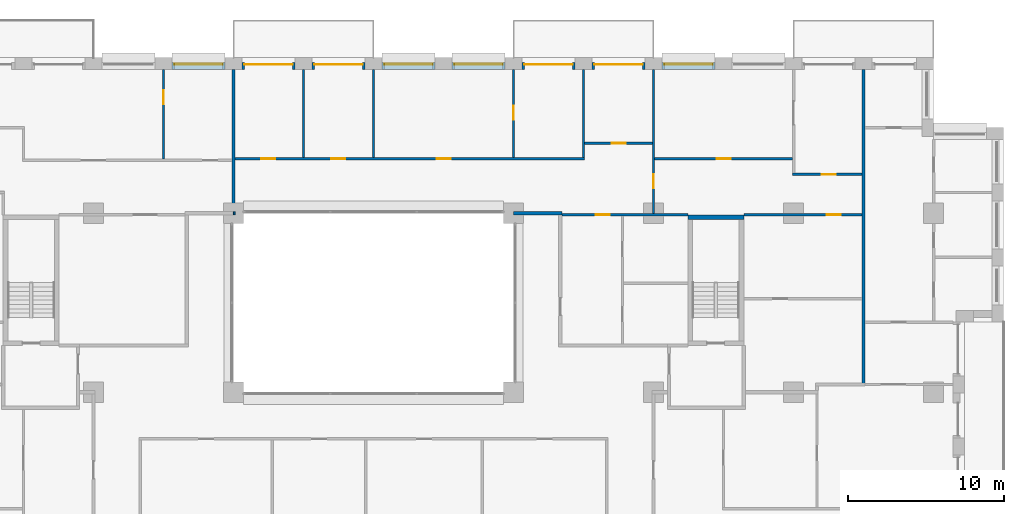
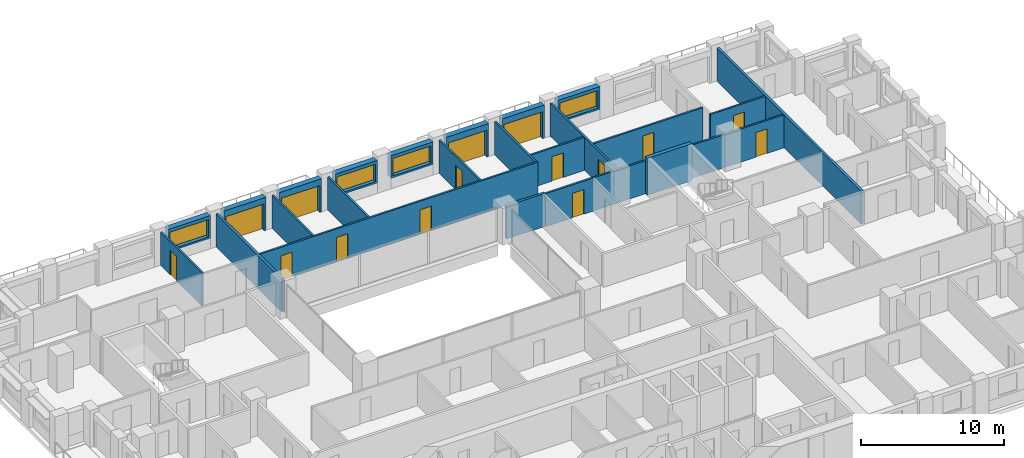
# One storey, part 13 of 16: 25 walls, 15 doors, 4 windows, 19 openings.
"""IFC4 building model written with IfcOpenShell, lengths in metres."""

import ifcopenshell
import ifcopenshell.guid

model = None  # the IFC model being written
_history = None  # IfcOwnerHistory: only IFC2X3 demands one
_inside = {}  # id of a spatial element -> (the spatial element, [elements in it])
_under = {}  # id of a project, library or spatial element -> (it, [spatial elements below it])
_declared = {}  # id of a project -> (the project, [libraries it declares])
_typed = {}  # id of a type object -> (the type object, [elements of that type])
_made_of = {}  # id of a material, layer set ... -> (it, [elements and type objects made of it])


def new_model(schema):
    """Start an empty IFC model of exactly this schema.

    Asked for "IFC4X3", IfcOpenShell would pick the latest addendum, in which some entities
    have other attributes; the version numbers below select the first issue.
    IFC2X3 requires an IfcOwnerHistory on every rooted entity: one is made here for all.
    """
    global model, _history
    if schema == "IFC4X3":
        model = ifcopenshell.file(schema_version=(4, 3, 0, 0))
    else:
        model = ifcopenshell.file(schema=schema)
    _inside.clear()
    _under.clear()
    _declared.clear()
    _typed.clear()
    _made_of.clear()
    _history = None
    if model.schema == "IFC2X3":
        org = make("IfcOrganization", Name="unknown")
        user = make(
            "IfcPersonAndOrganization",
            ThePerson=make("IfcPerson", FamilyName="unknown"),
            TheOrganization=org,
        )
        app = make(
            "IfcApplication",
            ApplicationDeveloper=org,
            Version="unknown",
            ApplicationFullName="unknown",
            ApplicationIdentifier="unknown",
        )
        _history = make(
            "IfcOwnerHistory",
            OwningUser=user,
            OwningApplication=app,
            ChangeAction="ADDED",
            CreationDate=0,
        )
    return model


def make(cls, **values):
    """One entity of the class cls with the attributes given. An attribute that is None is left unset."""
    return model.create_entity(
        cls, **{name: value for name, value in values.items() if value is not None}
    )


def rooted(cls, **values):
    """An entity with a GlobalId (a new one), such as an element, a storey or a relation."""
    return make(cls, GlobalId=ifcopenshell.guid.new(), OwnerHistory=_history, **values)


def si_unit(unit_type, name, prefix=None):
    """IfcSIUnit, for example si_unit("LENGTHUNIT", "METRE", prefix="MILLI")."""
    return make("IfcSIUnit", UnitType=unit_type, Prefix=prefix, Name=name)


def assignment(units):
    """IfcUnitAssignment: the units of a project."""
    return None if units is None else make("IfcUnitAssignment", Units=units)


def point(xyz):
    """IfcCartesianPoint."""
    return None if xyz is None else make("IfcCartesianPoint", Coordinates=xyz)


def direction(xyz):
    """IfcDirection."""
    return None if xyz is None else make("IfcDirection", DirectionRatios=xyz)


def frame(location, z_axis=None, x_axis=None):
    """IfcAxis2Placement3D, a coordinate frame: its origin and axes. An axis left out is left unset."""
    return make(
        "IfcAxis2Placement3D",
        Location=point(location),
        Axis=direction(z_axis),
        RefDirection=direction(x_axis),
    )


def frame_2d(location, x_axis=None):
    """IfcAxis2Placement2D, a coordinate frame in the plane: its origin and x axis."""
    return make(
        "IfcAxis2Placement2D", Location=point(location), RefDirection=direction(x_axis)
    )


def origin():
    """The frame at (0, 0, 0) with its axes left unset."""
    return frame((0.0, 0.0, 0.0))


def place(relative_to, where):
    """IfcLocalPlacement: puts the frame where relative to a parent placement (None: the world)."""
    return make(
        "IfcLocalPlacement", PlacementRelTo=relative_to, RelativePlacement=where
    )


def context(
    kind, dimensions, precision=None, world=None, true_north=None, identifier=None
):
    """IfcGeometricRepresentationContext, for example the 3D "Model" context."""
    return make(
        "IfcGeometricRepresentationContext",
        ContextIdentifier=identifier,
        ContextType=kind,
        CoordinateSpaceDimension=dimensions,
        Precision=precision,
        WorldCoordinateSystem=world,
        TrueNorth=true_north,
    )


def subcontext(parent, identifier, kind, view, scale=None):
    """IfcGeometricRepresentationSubContext, for example "Body" below "Model"."""
    return make(
        "IfcGeometricRepresentationSubContext",
        ContextIdentifier=identifier,
        ContextType=kind,
        ParentContext=parent,
        TargetScale=scale,
        TargetView=view,
    )


def project(units=None, contexts=None):
    """IfcProject with its units and contexts."""
    return rooted(
        "IfcProject",
        Name="project",
        RepresentationContexts=contexts,
        UnitsInContext=assignment(units),
    )


def spatial(cls, under=None, at=None, **own):
    """A site, building, storey or space (cls), placed at a placement, below another one or the project."""
    s = rooted(cls, ObjectPlacement=at, **own)
    if under is not None:
        _under.setdefault(under.id(), (under, []))[1].append(s)
    return s


def profile(cls, at=None, kind="AREA", **sizes):
    """A parametric profile (cls). Its sizes go by their IFC names, for example OverallWidth=200.0."""
    return make(cls, ProfileType=kind, Position=at, **sizes)


def rectangle(**sizes):
    """IfcRectangleProfileDef."""
    return profile("IfcRectangleProfileDef", **sizes)


def extrude(swept, where, along, depth):
    """IfcExtrudedAreaSolid: the profile swept, set in the frame where, extruded along a direction by depth."""
    return make(
        "IfcExtrudedAreaSolid",
        SweptArea=swept,
        Position=where,
        ExtrudedDirection=direction(along),
        Depth=depth,
    )


def shape(context_of_items, identifier, shape_type, items):
    """IfcShapeRepresentation: the items that make up one representation, for example the "Body"."""
    return make(
        "IfcShapeRepresentation",
        ContextOfItems=context_of_items,
        RepresentationIdentifier=identifier,
        RepresentationType=shape_type,
        Items=items,
    )


def material(Name=None, Category=None):
    """IfcMaterial."""
    return make("IfcMaterial", Name=Name, Category=Category)


def layer(
    of_material, thickness, ventilated=None, Name=None, Category=None, Priority=None
):
    """IfcMaterialLayer: one layer of a wall or slab, of a material (None: an air gap)."""
    return make(
        "IfcMaterialLayer",
        Material=of_material,
        LayerThickness=thickness,
        IsVentilated=ventilated,
        Name=Name,
        Category=Category,
        Priority=Priority,
    )


def layer_set(layers, Name=None):
    """IfcMaterialLayerSet."""
    return make("IfcMaterialLayerSet", MaterialLayers=layers, LayerSetName=Name)


def made_of(thing, what):
    """Note that an element or type object is made of a material, layer set ...; save() writes the relation."""
    if what is not None:
        _made_of.setdefault(what.id(), (what, []))[1].append(thing)
    return thing


def type_object(cls, material=None, **own):
    """A type object (cls), such as IfcWallType, which elements share."""
    return made_of(rooted(cls, **own), material)


def element(
    cls,
    number,
    at=None,
    inside=None,
    cuts=None,
    type_object=None,
    material=None,
    context=None,
    identifier="Body",
    shape_type=None,
    held_by="IfcProductDefinitionShape",
    body=None,
    shapes=None,
    **own,
):
    """One element of the class cls, such as IfcWall. Its Tag is "e" and its number.

    at: its placement. inside: the storey or other place that contains it. cuts: it is an
    opening in that element (IfcRelVoidsElement). A single representation is given by context,
    identifier, shape_type and body (its items); several are given by shapes. held_by: the class
    of the entity that holds the representations. save() writes the other relations.
    """
    e = rooted(cls, Tag="e%d" % number, ObjectPlacement=at, **own)
    if body is not None:
        shapes = [shape(context, identifier, shape_type, body)]
    if shapes is not None:
        e.Representation = make(held_by, Representations=shapes)
    if inside is not None:
        _inside.setdefault(inside.id(), (inside, []))[1].append(e)
    if cuts is not None:
        rooted(
            "IfcRelVoidsElement", RelatingBuildingElement=cuts, RelatedOpeningElement=e
        )
    if type_object is not None:
        _typed.setdefault(type_object.id(), (type_object, []))[1].append(e)
    return made_of(e, material)


def fill(opening, filler):
    """IfcRelFillsElement: the door or window that sits in an opening."""
    return rooted(
        "IfcRelFillsElement",
        RelatingOpeningElement=opening,
        RelatedBuildingElement=filler,
    )


def aggregate(whole, parts):
    """IfcRelAggregates: a whole, such as a stair, and the parts it consists of."""
    return rooted("IfcRelAggregates", RelatingObject=whole, RelatedObjects=parts)


def save(model, path):
    """Write the relations noted so far, then the file.

    IfcRelAggregates (storeys below a building ...), IfcRelContainedInSpatialStructure (elements
    in a storey), IfcRelDefinesByType, IfcRelAssociatesMaterial and IfcRelDeclares: one each for
    every whole, place, type object, material and project.
    """
    for whole, parts in _under.values():
        aggregate(whole, parts)
    for where, things in _inside.values():
        rooted(
            "IfcRelContainedInSpatialStructure",
            RelatedElements=things,
            RelatingStructure=where,
        )
    for kind, things in _typed.values():
        rooted("IfcRelDefinesByType", RelatedObjects=things, RelatingType=kind)
    for what, things in _made_of.values():
        rooted("IfcRelAssociatesMaterial", RelatedObjects=things, RelatingMaterial=what)
    for by, libraries in _declared.values():
        rooted("IfcRelDeclares", RelatingContext=by, RelatedDefinitions=libraries)
    model.write(path)


model = new_model("IFC4")

# Units and contexts
model_context = context("Model", 3, precision=1e-05, world=origin(), true_north=direction((0.0, 1.0)))
body_context = subcontext(model_context, "Body", "Model", "MODEL_VIEW")
ifc_project = project(units=[si_unit("LENGTHUNIT", "METRE"), si_unit("AREAUNIT", "SQUARE_METRE"), si_unit("VOLUMEUNIT", "CUBIC_METRE"), si_unit("PLANEANGLEUNIT", "RADIAN"), si_unit("MASSUNIT", "GRAM", prefix="KILO")], contexts=[model_context])

# Site, building, storey
site_placement = place(None, origin())
site = spatial("IfcSite", under=ifc_project, at=site_placement, CompositionType="ELEMENT")
building_placement = place(site_placement, origin())
building = spatial("IfcBuilding", under=site, at=building_placement, Name="Brigalow Station Residences", CompositionType="ELEMENT")
storey_placement = place(building_placement, frame((0.0, 0.0, 115.050048828125)))
storey = spatial("IfcBuildingStorey", under=building, at=storey_placement, Name="L33", CompositionType="ELEMENT", Elevation=115.050048828125)

# Wall, opening, window
ifc_material_1 = material(Name="Clay brick masonry", Category="masonry")
ifc_layer_1 = layer(ifc_material_1, 0.449951171875)
ifc_layer_set_1 = layer_set([ifc_layer_1], Name="BRICK INFILL WALL 450")
wall_type_1 = type_object("IfcWallType", Name="BRICK INFILL WALL 450", PredefinedType="SOLIDWALL", material=ifc_layer_set_1)
wall_1_placement = place(storey_placement, frame((57.949951171875, 44.97509765625, 0.89990234375), z_axis=(0.0, 0.0, 1.0), x_axis=(-1.0, 0.0, 0.0)))
wall_1 = element("IfcWall", 1, at=wall_1_placement, inside=storey, type_object=wall_type_1, Name="L33/ewall/W-L33-26", PredefinedType="SOLIDWALL", context=body_context, shape_type="SweptSolid", body=[
    extrude(rectangle(XDim=3.39990234375, YDim=0.449951171875, at=frame_2d((1.699951171875, 0.0))), origin(), (0.0, 0.0, 1.0), 1.929931640625),
])
opening_1_placement = place(wall_1_placement, frame((0.14990234375, 0.0, 0.14990234375)))
opening_1 = element("IfcOpeningElement", 2, at=opening_1_placement, cuts=wall_1, Name="Opening WT-8", PredefinedType="OPENING", context=body_context, shape_type="SweptSolid", body=[
    extrude(rectangle(XDim=3.10009765625, YDim=1.5, at=frame_2d((1.550048828125, 0.75))), frame((0.0, 0.23486328125, 0.0), z_axis=(0.0, -1.0, 0.0), x_axis=(1.0, 0.0, 0.0)), (0.0, 0.0, 1.0), 0.469970703125),
])
ifc_material_2 = material(Name="Anodised aluminium frame with double glazing", Category="aluminium")
window_type = type_object("IfcWindowType", Name="WINDOW 3100x1500", PartitioningType="SINGLE_PANEL", PredefinedType="WINDOW", material=ifc_material_2)
window_1_placement = place(opening_1_placement, origin())
window_1 = element("IfcWindow", 3, at=window_1_placement, inside=storey, type_object=window_type, Name="L33/window/W-L33-26", OverallHeight=1.5, OverallWidth=3.10009765625, PartitioningType="SINGLE_PANEL", PredefinedType="WINDOW", context=body_context, shape_type="SweptSolid", body=[
    extrude(rectangle(XDim=3.10009765625, YDim=1.5, at=frame_2d((1.550048828125, 0.75))), frame((0.0, -0.06494140625, 0.0), z_axis=(0.0, -1.0, 0.0), x_axis=(1.0, 0.0, 0.0)), (0.0, 0.0, 1.0), 0.06005859375),
])
fill(opening_1, window_1)

# Wall, opening, door
wall_2_placement = place(storey_placement, frame((53.449951171875, 44.97509765625, 0.0), z_axis=(0.0, 0.0, 1.0), x_axis=(-1.0, 0.0, 0.0)))
wall_2 = element("IfcWall", 4, at=wall_2_placement, inside=storey, type_object=wall_type_1, Name="L33/ewall/W-L33-27", PredefinedType="SOLIDWALL", context=body_context, shape_type="SweptSolid", body=[
    extrude(rectangle(XDim=3.39990234375, YDim=0.449951171875, at=frame_2d((1.699951171875, 0.0))), origin(), (0.0, 0.0, 1.0), 2.829833984375),
])
opening_2_placement = place(wall_2_placement, frame((0.14990234375, 0.0, 0.0)))
opening_2 = element("IfcOpeningElement", 5, at=opening_2_placement, cuts=wall_2, Name="Opening D-B3100", PredefinedType="OPENING", context=body_context, shape_type="SweptSolid", body=[
    extrude(rectangle(XDim=3.10009765625, YDim=2.300048828125, at=frame_2d((1.550048828125, 1.14990234375))), frame((0.0, 0.23486328125, 0.0), z_axis=(0.0, -1.0, 0.0), x_axis=(1.0, 0.0, 0.0)), (0.0, 0.0, 1.0), 0.469970703125),
])
ifc_material_3 = material(Name="Anodised aluminium frame with double glazing", Category="aluminium")
door_type_1 = type_object("IfcDoorType", Name="BALCONY SLIDING DOOR 3100x2300", OperationType="SLIDING_TO_LEFT", PredefinedType="DOOR", material=ifc_material_3)
door_1_placement = place(opening_2_placement, origin())
door_1 = element("IfcDoor", 6, at=door_1_placement, inside=storey, type_object=door_type_1, Name="L33/balcony-door/W-L33-27", OperationType="SLIDING_TO_LEFT", OverallHeight=2.300048828125, OverallWidth=3.10009765625, PredefinedType="DOOR", context=body_context, shape_type="SweptSolid", body=[
    extrude(rectangle(XDim=3.10009765625, YDim=2.300048828125, at=frame_2d((1.550048828125, 1.14990234375))), frame((0.0, -0.06982421875, 0.0), z_axis=(0.0, -1.0, 0.0), x_axis=(1.0, 0.0, 0.0)), (0.0, 0.0, 1.0), 0.050048828125),
])
fill(opening_2, door_1)

wall_3_placement = place(storey_placement, frame((48.949951171875, 44.97509765625, 0.0), z_axis=(0.0, 0.0, 1.0), x_axis=(-1.0, 0.0, 0.0)))
wall_3 = element("IfcWall", 7, at=wall_3_placement, inside=storey, type_object=wall_type_1, Name="L33/ewall/W-L33-28", PredefinedType="SOLIDWALL", context=body_context, shape_type="SweptSolid", body=[
    extrude(rectangle(XDim=3.39990234375, YDim=0.449951171875, at=frame_2d((1.699951171875, 0.0))), origin(), (0.0, 0.0, 1.0), 2.829833984375),
])
opening_3_placement = place(wall_3_placement, frame((0.14990234375, 0.0, 0.0)))
opening_3 = element("IfcOpeningElement", 8, at=opening_3_placement, cuts=wall_3, Name="Opening D-B3100", PredefinedType="OPENING", context=body_context, shape_type="SweptSolid", body=[
    extrude(rectangle(XDim=3.10009765625, YDim=2.300048828125, at=frame_2d((1.550048828125, 1.14990234375))), frame((0.0, 0.23486328125, 0.0), z_axis=(0.0, -1.0, 0.0), x_axis=(1.0, 0.0, 0.0)), (0.0, 0.0, 1.0), 0.469970703125),
])
door_2_placement = place(opening_3_placement, origin())
door_2 = element("IfcDoor", 9, at=door_2_placement, inside=storey, type_object=door_type_1, Name="L33/balcony-door/W-L33-28", OperationType="SLIDING_TO_LEFT", OverallHeight=2.300048828125, OverallWidth=3.10009765625, PredefinedType="DOOR", context=body_context, shape_type="SweptSolid", body=[
    extrude(rectangle(XDim=3.10009765625, YDim=2.300048828125, at=frame_2d((1.550048828125, 1.14990234375))), frame((0.0, -0.06982421875, 0.0), z_axis=(0.0, -1.0, 0.0), x_axis=(1.0, 0.0, 0.0)), (0.0, 0.0, 1.0), 0.050048828125),
])
fill(opening_3, door_2)

# Wall, opening, window
wall_4_placement = place(storey_placement, frame((44.449951171875, 44.97509765625, 0.89990234375), z_axis=(0.0, 0.0, 1.0), x_axis=(-1.0, 0.0, 0.0)))
wall_4 = element("IfcWall", 10, at=wall_4_placement, inside=storey, type_object=wall_type_1, Name="L33/ewall/W-L33-29", PredefinedType="SOLIDWALL", context=body_context, shape_type="SweptSolid", body=[
    extrude(rectangle(XDim=3.39990234375, YDim=0.449951171875, at=frame_2d((1.699951171875, 0.0))), origin(), (0.0, 0.0, 1.0), 1.929931640625),
])
opening_4_placement = place(wall_4_placement, frame((0.14990234375, 0.0, 0.14990234375)))
opening_4 = element("IfcOpeningElement", 11, at=opening_4_placement, cuts=wall_4, Name="Opening WT-8", PredefinedType="OPENING", context=body_context, shape_type="SweptSolid", body=[
    extrude(rectangle(XDim=3.10009765625, YDim=1.5, at=frame_2d((1.550048828125, 0.75))), frame((0.0, 0.23486328125, 0.0), z_axis=(0.0, -1.0, 0.0), x_axis=(1.0, 0.0, 0.0)), (0.0, 0.0, 1.0), 0.469970703125),
])
window_2_placement = place(opening_4_placement, origin())
window_2 = element("IfcWindow", 12, at=window_2_placement, inside=storey, type_object=window_type, Name="L33/window/W-L33-29", OverallHeight=1.5, OverallWidth=3.10009765625, PartitioningType="SINGLE_PANEL", PredefinedType="WINDOW", context=body_context, shape_type="SweptSolid", body=[
    extrude(rectangle(XDim=3.10009765625, YDim=1.5, at=frame_2d((1.550048828125, 0.75))), frame((0.0, -0.06494140625, 0.0), z_axis=(0.0, -1.0, 0.0), x_axis=(1.0, 0.0, 0.0)), (0.0, 0.0, 1.0), 0.06005859375),
])
fill(opening_4, window_2)

wall_5_placement = place(storey_placement, frame((39.949951171875, 44.97509765625, 0.89990234375), z_axis=(0.0, 0.0, 1.0), x_axis=(-1.0, 0.0, 0.0)))
wall_5 = element("IfcWall", 13, at=wall_5_placement, inside=storey, type_object=wall_type_1, Name="L33/ewall/W-L33-30", PredefinedType="SOLIDWALL", context=body_context, shape_type="SweptSolid", body=[
    extrude(rectangle(XDim=3.39990234375, YDim=0.449951171875, at=frame_2d((1.699951171875, 0.0))), origin(), (0.0, 0.0, 1.0), 1.929931640625),
])
opening_5_placement = place(wall_5_placement, frame((0.14990234375, 0.0, 0.14990234375)))
opening_5 = element("IfcOpeningElement", 14, at=opening_5_placement, cuts=wall_5, Name="Opening WT-8", PredefinedType="OPENING", context=body_context, shape_type="SweptSolid", body=[
    extrude(rectangle(XDim=3.10009765625, YDim=1.5, at=frame_2d((1.550048828125, 0.75))), frame((0.0, 0.23486328125, 0.0), z_axis=(0.0, -1.0, 0.0), x_axis=(1.0, 0.0, 0.0)), (0.0, 0.0, 1.0), 0.469970703125),
])
window_3_placement = place(opening_5_placement, origin())
window_3 = element("IfcWindow", 15, at=window_3_placement, inside=storey, type_object=window_type, Name="L33/window/W-L33-30", OverallHeight=1.5, OverallWidth=3.10009765625, PartitioningType="SINGLE_PANEL", PredefinedType="WINDOW", context=body_context, shape_type="SweptSolid", body=[
    extrude(rectangle(XDim=3.10009765625, YDim=1.5, at=frame_2d((1.550048828125, 0.75))), frame((0.0, -0.06494140625, 0.0), z_axis=(0.0, -1.0, 0.0), x_axis=(1.0, 0.0, 0.0)), (0.0, 0.0, 1.0), 0.06005859375),
])
fill(opening_5, window_3)

# Wall, opening, door
wall_6_placement = place(storey_placement, frame((35.449951171875, 44.97509765625, 0.0), z_axis=(0.0, 0.0, 1.0), x_axis=(-1.0, 0.0, 0.0)))
wall_6 = element("IfcWall", 16, at=wall_6_placement, inside=storey, type_object=wall_type_1, Name="L33/ewall/W-L33-31", PredefinedType="SOLIDWALL", context=body_context, shape_type="SweptSolid", body=[
    extrude(rectangle(XDim=3.39990234375, YDim=0.449951171875, at=frame_2d((1.699951171875, 0.0))), origin(), (0.0, 0.0, 1.0), 2.829833984375),
])
opening_6_placement = place(wall_6_placement, frame((0.14990234375, 0.0, 0.0)))
opening_6 = element("IfcOpeningElement", 17, at=opening_6_placement, cuts=wall_6, Name="Opening D-B3100", PredefinedType="OPENING", context=body_context, shape_type="SweptSolid", body=[
    extrude(rectangle(XDim=3.10009765625, YDim=2.300048828125, at=frame_2d((1.550048828125, 1.14990234375))), frame((0.0, 0.23486328125, 0.0), z_axis=(0.0, -1.0, 0.0), x_axis=(1.0, 0.0, 0.0)), (0.0, 0.0, 1.0), 0.469970703125),
])
door_3_placement = place(opening_6_placement, origin())
door_3 = element("IfcDoor", 18, at=door_3_placement, inside=storey, type_object=door_type_1, Name="L33/balcony-door/W-L33-31", OperationType="SLIDING_TO_LEFT", OverallHeight=2.300048828125, OverallWidth=3.10009765625, PredefinedType="DOOR", context=body_context, shape_type="SweptSolid", body=[
    extrude(rectangle(XDim=3.10009765625, YDim=2.300048828125, at=frame_2d((1.550048828125, 1.14990234375))), frame((0.0, -0.06982421875, 0.0), z_axis=(0.0, -1.0, 0.0), x_axis=(1.0, 0.0, 0.0)), (0.0, 0.0, 1.0), 0.050048828125),
])
fill(opening_6, door_3)

wall_7_placement = place(storey_placement, frame((30.949951171875, 44.97509765625, 0.0), z_axis=(0.0, 0.0, 1.0), x_axis=(-1.0, 0.0, 0.0)))
wall_7 = element("IfcWall", 19, at=wall_7_placement, inside=storey, type_object=wall_type_1, Name="L33/ewall/W-L33-32", PredefinedType="SOLIDWALL", context=body_context, shape_type="SweptSolid", body=[
    extrude(rectangle(XDim=3.39990234375, YDim=0.449951171875, at=frame_2d((1.699951171875, 0.0))), origin(), (0.0, 0.0, 1.0), 2.829833984375),
])
opening_7_placement = place(wall_7_placement, frame((0.14990234375, 0.0, 0.0)))
opening_7 = element("IfcOpeningElement", 20, at=opening_7_placement, cuts=wall_7, Name="Opening D-B3100", PredefinedType="OPENING", context=body_context, shape_type="SweptSolid", body=[
    extrude(rectangle(XDim=3.10009765625, YDim=2.300048828125, at=frame_2d((1.550048828125, 1.14990234375))), frame((0.0, 0.23486328125, 0.0), z_axis=(0.0, -1.0, 0.0), x_axis=(1.0, 0.0, 0.0)), (0.0, 0.0, 1.0), 0.469970703125),
])
door_4_placement = place(opening_7_placement, origin())
door_4 = element("IfcDoor", 21, at=door_4_placement, inside=storey, type_object=door_type_1, Name="L33/balcony-door/W-L33-32", OperationType="SLIDING_TO_LEFT", OverallHeight=2.300048828125, OverallWidth=3.10009765625, PredefinedType="DOOR", context=body_context, shape_type="SweptSolid", body=[
    extrude(rectangle(XDim=3.10009765625, YDim=2.300048828125, at=frame_2d((1.550048828125, 1.14990234375))), frame((0.0, -0.06982421875, 0.0), z_axis=(0.0, -1.0, 0.0), x_axis=(1.0, 0.0, 0.0)), (0.0, 0.0, 1.0), 0.050048828125),
])
fill(opening_7, door_4)

# Wall, opening, window
wall_8_placement = place(storey_placement, frame((26.449951171875, 44.97509765625, 0.89990234375), z_axis=(0.0, 0.0, 1.0), x_axis=(-1.0, 0.0, 0.0)))
wall_8 = element("IfcWall", 22, at=wall_8_placement, inside=storey, type_object=wall_type_1, Name="L33/ewall/W-L33-33", PredefinedType="SOLIDWALL", context=body_context, shape_type="SweptSolid", body=[
    extrude(rectangle(XDim=3.39990234375, YDim=0.449951171875, at=frame_2d((1.699951171875, 0.0))), origin(), (0.0, 0.0, 1.0), 1.929931640625),
])
opening_8_placement = place(wall_8_placement, frame((0.14990234375, 0.0, 0.14990234375)))
opening_8 = element("IfcOpeningElement", 23, at=opening_8_placement, cuts=wall_8, Name="Opening WT-8", PredefinedType="OPENING", context=body_context, shape_type="SweptSolid", body=[
    extrude(rectangle(XDim=3.10009765625, YDim=1.5, at=frame_2d((1.550048828125, 0.75))), frame((0.0, 0.23486328125, 0.0), z_axis=(0.0, -1.0, 0.0), x_axis=(1.0, 0.0, 0.0)), (0.0, 0.0, 1.0), 0.469970703125),
])
window_4_placement = place(opening_8_placement, origin())
window_4 = element("IfcWindow", 24, at=window_4_placement, inside=storey, type_object=window_type, Name="L33/window/W-L33-33", OverallHeight=1.5, OverallWidth=3.10009765625, PartitioningType="SINGLE_PANEL", PredefinedType="WINDOW", context=body_context, shape_type="SweptSolid", body=[
    extrude(rectangle(XDim=3.10009765625, YDim=1.5, at=frame_2d((1.550048828125, 0.75))), frame((0.0, -0.06494140625, 0.0), z_axis=(0.0, -1.0, 0.0), x_axis=(1.0, 0.0, 0.0)), (0.0, 0.0, 1.0), 0.06005859375),
])
fill(opening_8, window_4)

# Wall
ifc_material_4 = material(Name="Concrete C65", Category="concrete")
ifc_layer_2 = layer(ifc_material_4, 0.300048828125)
ifc_layer_set_2 = layer_set([ifc_layer_2], Name="CORE SHEAR WALL 300 C65")
wall_type_2 = type_object("IfcWallType", Name="CORE SHEAR WALL 300 C65", PredefinedType="SHEAR", material=ifc_layer_set_2)
wall_9_placement = place(storey_placement, frame((56.199951171875, 35.25, 0.0), z_axis=(0.0, 0.0, 1.0), x_axis=(1.0, 0.0, 0.0)))
element("IfcWall", 25, at=wall_9_placement, inside=storey, type_object=wall_type_2, Name="CORE WALL ST-S3-N L33", PredefinedType="SHEAR", context=body_context, shape_type="SweptSolid", body=[
    extrude(rectangle(XDim=3.60009765625, YDim=0.300048828125, at=frame_2d((1.800048828125, 0.0))), origin(), (0.0, 0.0, 1.0), 3.14990234375),
])

# Wall, opening, door
ifc_material_5 = material(Name="Plasterboard on steel stud partition", Category="steel")
ifc_layer_3 = layer(ifc_material_5, 0.14990234375)
ifc_layer_set_3 = layer_set([ifc_layer_3], Name="FLAT PARTITION 150")
wall_type_3 = type_object("IfcWallType", Name="FLAT PARTITION 150", PredefinedType="PARTITIONING", material=ifc_layer_set_3)
wall_10_placement = place(storey_placement, frame((48.10009765625, 35.39990234375, 0.0), z_axis=(0.0, 0.0, 1.0), x_axis=(1.0, 0.0, 0.0)))
wall_10 = element("IfcWall", 26, at=wall_10_placement, inside=storey, type_object=wall_type_3, Name="PW-2D25", PredefinedType="PARTITIONING", context=body_context, shape_type="SweptSolid", body=[
    extrude(rectangle(XDim=8.099853515625, YDim=0.14990234375, at=frame_2d((4.0498046875, 0.0))), origin(), (0.0, 0.0, 1.0), 2.829833984375),
])
opening_9_placement = place(wall_10_placement, frame((2.199951171875, 0.0, 0.0)))
opening_9 = element("IfcOpeningElement", 27, at=opening_9_placement, cuts=wall_10, Name="Opening D-2D20", PredefinedType="OPENING", context=body_context, shape_type="SweptSolid", body=[
    extrude(rectangle(XDim=0.89990234375, YDim=2.10009765625, at=frame_2d((0.449951171875, 1.050048828125))), frame((0.0, 0.0849609375, 0.0), z_axis=(0.0, -1.0, 0.0), x_axis=(1.0, 0.0, 0.0)), (0.0, 0.0, 1.0), 0.169921875),
])
ifc_material_6 = material(Name="Solid-core timber door leaf", Category="wood")
door_type_2 = type_object("IfcDoorType", Name="INTERNAL DOOR 900 x 2100", OperationType="SINGLE_SWING_LEFT", PredefinedType="DOOR", material=ifc_material_6)
door_5_placement = place(opening_9_placement, frame((0.89990234375, 0.0, 0.0), z_axis=(0.0, 0.0, 1.0), x_axis=(-1.0, 0.0, 0.0)))
door_5 = element("IfcDoor", 28, at=door_5_placement, inside=storey, type_object=door_type_2, Name="D-2D20", OperationType="SINGLE_SWING_LEFT", OverallHeight=2.10009765625, OverallWidth=0.89990234375, PredefinedType="DOOR", context=body_context, shape_type="SweptSolid", body=[
    extrude(rectangle(XDim=0.89990234375, YDim=2.10009765625, at=frame_2d((0.449951171875, 1.050048828125))), frame((0.0, 0.02490234375, 0.0), z_axis=(0.0, -1.0, 0.0), x_axis=(1.0, 0.0, 0.0)), (0.0, 0.0, 1.0), 0.050048828125),
])
fill(opening_9, door_5)

wall_11_placement = place(storey_placement, frame((59.800048828125, 35.39990234375, 0.0), z_axis=(0.0, 0.0, 1.0), x_axis=(1.0, 0.0, 0.0)))
wall_11 = element("IfcWall", 29, at=wall_11_placement, inside=storey, type_object=wall_type_3, Name="PW-2D26", PredefinedType="PARTITIONING", context=body_context, shape_type="SweptSolid", body=[
    extrude(rectangle(XDim=7.599853515625, YDim=0.14990234375, at=frame_2d((3.7998046875, 0.0))), origin(), (0.0, 0.0, 1.0), 2.829833984375),
])
opening_10_placement = place(wall_11_placement, frame((5.324951171875, 0.0, 0.0)))
opening_10 = element("IfcOpeningElement", 30, at=opening_10_placement, cuts=wall_11, Name="Opening D-2D30", PredefinedType="OPENING", context=body_context, shape_type="SweptSolid", body=[
    extrude(rectangle(XDim=0.89990234375, YDim=2.10009765625, at=frame_2d((0.449951171875, 1.050048828125))), frame((0.0, 0.0849609375, 0.0), z_axis=(0.0, -1.0, 0.0), x_axis=(1.0, 0.0, 0.0)), (0.0, 0.0, 1.0), 0.169921875),
])
door_6_placement = place(opening_10_placement, frame((0.89990234375, 0.0, 0.0), z_axis=(0.0, 0.0, 1.0), x_axis=(-1.0, 0.0, 0.0)))
door_6 = element("IfcDoor", 31, at=door_6_placement, inside=storey, type_object=door_type_2, Name="D-2D30", OperationType="SINGLE_SWING_LEFT", OverallHeight=2.10009765625, OverallWidth=0.89990234375, PredefinedType="DOOR", context=body_context, shape_type="SweptSolid", body=[
    extrude(rectangle(XDim=0.89990234375, YDim=2.10009765625, at=frame_2d((0.449951171875, 1.050048828125))), frame((0.0, 0.02490234375, 0.0), z_axis=(0.0, -1.0, 0.0), x_axis=(1.0, 0.0, 0.0)), (0.0, 0.0, 1.0), 0.050048828125),
])
fill(opening_10, door_6)

# Wall, openings, doors
wall_12_placement = place(storey_placement, frame((27.10009765625, 39.0, 0.0), z_axis=(0.0, 0.0, 1.0), x_axis=(1.0, 0.0, 0.0)))
wall_12 = element("IfcWall", 32, at=wall_12_placement, inside=storey, type_object=wall_type_3, Name="PW-2D30", PredefinedType="PARTITIONING", context=body_context, shape_type="SweptSolid", body=[
    extrude(rectangle(XDim=22.474853515625, YDim=0.14990234375, at=frame_2d((11.2373046875, 0.0))), origin(), (0.0, 0.0, 1.0), 2.829833984375),
])
opening_11_placement = place(wall_12_placement, frame((1.699951171875, 0.0, 0.0)))
opening_11 = element("IfcOpeningElement", 33, at=opening_11_placement, cuts=wall_12, Name="Opening D-2D21", PredefinedType="OPENING", context=body_context, shape_type="SweptSolid", body=[
    extrude(rectangle(XDim=0.89990234375, YDim=2.10009765625, at=frame_2d((0.449951171875, 1.050048828125))), frame((0.0, 0.0849609375, 0.0), z_axis=(0.0, -1.0, 0.0), x_axis=(1.0, 0.0, 0.0)), (0.0, 0.0, 1.0), 0.169921875),
])
opening_12_placement = place(wall_12_placement, frame((6.199951171875, 0.0, 0.0)))
opening_12 = element("IfcOpeningElement", 34, at=opening_12_placement, cuts=wall_12, Name="Opening D-2D22", PredefinedType="OPENING", context=body_context, shape_type="SweptSolid", body=[
    extrude(rectangle(XDim=0.89990234375, YDim=2.10009765625, at=frame_2d((0.449951171875, 1.050048828125))), frame((0.0, 0.0849609375, 0.0), z_axis=(0.0, -1.0, 0.0), x_axis=(1.0, 0.0, 0.0)), (0.0, 0.0, 1.0), 0.169921875),
])
opening_13_placement = place(wall_12_placement, frame((12.949951171875, 0.0, 0.0)))
opening_13 = element("IfcOpeningElement", 35, at=opening_13_placement, cuts=wall_12, Name="Opening D-2D23", PredefinedType="OPENING", context=body_context, shape_type="SweptSolid", body=[
    extrude(rectangle(XDim=0.89990234375, YDim=2.10009765625, at=frame_2d((0.449951171875, 1.050048828125))), frame((0.0, 0.0849609375, 0.0), z_axis=(0.0, -1.0, 0.0), x_axis=(1.0, 0.0, 0.0)), (0.0, 0.0, 1.0), 0.169921875),
])
door_7_placement = place(opening_11_placement, origin())
door_7 = element("IfcDoor", 36, at=door_7_placement, inside=storey, type_object=door_type_2, Name="D-2D21", OperationType="SINGLE_SWING_LEFT", OverallHeight=2.10009765625, OverallWidth=0.89990234375, PredefinedType="DOOR", context=body_context, shape_type="SweptSolid", body=[
    extrude(rectangle(XDim=0.89990234375, YDim=2.10009765625, at=frame_2d((0.449951171875, 1.050048828125))), frame((0.0, 0.02490234375, 0.0), z_axis=(0.0, -1.0, 0.0), x_axis=(1.0, 0.0, 0.0)), (0.0, 0.0, 1.0), 0.050048828125),
])
fill(opening_11, door_7)
door_8_placement = place(opening_12_placement, origin())
door_8 = element("IfcDoor", 37, at=door_8_placement, inside=storey, type_object=door_type_2, Name="D-2D22", OperationType="SINGLE_SWING_RIGHT", OverallHeight=2.10009765625, OverallWidth=0.89990234375, PredefinedType="DOOR", context=body_context, shape_type="SweptSolid", body=[
    extrude(rectangle(XDim=0.89990234375, YDim=2.10009765625, at=frame_2d((0.449951171875, 1.050048828125))), frame((0.0, 0.02490234375, 0.0), z_axis=(0.0, -1.0, 0.0), x_axis=(1.0, 0.0, 0.0)), (0.0, 0.0, 1.0), 0.050048828125),
])
fill(opening_12, door_8)
door_9_placement = place(opening_13_placement, origin())
door_9 = element("IfcDoor", 38, at=door_9_placement, inside=storey, type_object=door_type_2, Name="D-2D23", OperationType="SINGLE_SWING_RIGHT", OverallHeight=2.10009765625, OverallWidth=0.89990234375, PredefinedType="DOOR", context=body_context, shape_type="SweptSolid", body=[
    extrude(rectangle(XDim=0.89990234375, YDim=2.10009765625, at=frame_2d((0.449951171875, 1.050048828125))), frame((0.0, 0.02490234375, 0.0), z_axis=(0.0, -1.0, 0.0), x_axis=(1.0, 0.0, 0.0)), (0.0, 0.0, 1.0), 0.050048828125),
])
fill(opening_13, door_9)

# Wall, opening, door
wall_13_placement = place(storey_placement, frame((54.074951171875, 39.0, 0.0), z_axis=(0.0, 0.0, 1.0), x_axis=(1.0, 0.0, 0.0)))
wall_13 = element("IfcWall", 39, at=wall_13_placement, inside=storey, type_object=wall_type_3, Name="PW-2D31", PredefinedType="PARTITIONING", context=body_context, shape_type="SweptSolid", body=[
    extrude(rectangle(XDim=8.85009765625, YDim=0.14990234375, at=frame_2d((4.425048828125, 0.0))), origin(), (0.0, 0.0, 1.0), 2.829833984375),
])
opening_14_placement = place(wall_13_placement, frame((3.97509765625, 0.0, 0.0)))
opening_14 = element("IfcOpeningElement", 40, at=opening_14_placement, cuts=wall_13, Name="Opening D-2D27", PredefinedType="OPENING", context=body_context, shape_type="SweptSolid", body=[
    extrude(rectangle(XDim=0.89990234375, YDim=2.10009765625, at=frame_2d((0.449951171875, 1.050048828125))), frame((0.0, 0.0849609375, 0.0), z_axis=(0.0, -1.0, 0.0), x_axis=(1.0, 0.0, 0.0)), (0.0, 0.0, 1.0), 0.169921875),
])
door_10_placement = place(opening_14_placement, frame((0.89990234375, 0.0, 0.0), z_axis=(0.0, 0.0, 1.0), x_axis=(-1.0, 0.0, 0.0)))
door_10 = element("IfcDoor", 41, at=door_10_placement, inside=storey, type_object=door_type_2, Name="D-2D27", OperationType="SINGLE_SWING_LEFT", OverallHeight=2.10009765625, OverallWidth=0.89990234375, PredefinedType="DOOR", context=body_context, shape_type="SweptSolid", body=[
    extrude(rectangle(XDim=0.89990234375, YDim=2.10009765625, at=frame_2d((0.449951171875, 1.050048828125))), frame((0.0, 0.02490234375, 0.0), z_axis=(0.0, -1.0, 0.0), x_axis=(1.0, 0.0, 0.0)), (0.0, 0.0, 1.0), 0.050048828125),
])
fill(opening_14, door_10)

wall_14_placement = place(storey_placement, frame((49.574951171875, 40.0, 0.0), z_axis=(0.0, 0.0, 1.0), x_axis=(1.0, 0.0, 0.0)))
wall_14 = element("IfcWall", 42, at=wall_14_placement, inside=storey, type_object=wall_type_3, Name="PW-2D32", PredefinedType="PARTITIONING", context=body_context, shape_type="SweptSolid", body=[
    extrude(rectangle(XDim=4.35009765625, YDim=0.14990234375, at=frame_2d((2.175048828125, 0.0))), origin(), (0.0, 0.0, 1.0), 2.829833984375),
])
opening_15_placement = place(wall_14_placement, frame((1.72509765625, 0.0, 0.0)))
opening_15 = element("IfcOpeningElement", 43, at=opening_15_placement, cuts=wall_14, Name="Opening D-2D25", PredefinedType="OPENING", context=body_context, shape_type="SweptSolid", body=[
    extrude(rectangle(XDim=0.89990234375, YDim=2.10009765625, at=frame_2d((0.449951171875, 1.050048828125))), frame((0.0, 0.0849609375, 0.0), z_axis=(0.0, -1.0, 0.0), x_axis=(1.0, 0.0, 0.0)), (0.0, 0.0, 1.0), 0.169921875),
])
door_11_placement = place(opening_15_placement, origin())
door_11 = element("IfcDoor", 44, at=door_11_placement, inside=storey, type_object=door_type_2, Name="D-2D25", OperationType="SINGLE_SWING_RIGHT", OverallHeight=2.10009765625, OverallWidth=0.89990234375, PredefinedType="DOOR", context=body_context, shape_type="SweptSolid", body=[
    extrude(rectangle(XDim=0.89990234375, YDim=2.10009765625, at=frame_2d((0.449951171875, 1.050048828125))), frame((0.0, 0.02490234375, 0.0), z_axis=(0.0, -1.0, 0.0), x_axis=(1.0, 0.0, 0.0)), (0.0, 0.0, 1.0), 0.050048828125),
])
fill(opening_15, door_11)

wall_15_placement = place(storey_placement, frame((62.925048828125, 38.0, 0.0), z_axis=(0.0, 0.0, 1.0), x_axis=(1.0, 0.0, 0.0)))
wall_15 = element("IfcWall", 45, at=wall_15_placement, inside=storey, type_object=wall_type_3, Name="PW-2D33", PredefinedType="PARTITIONING", context=body_context, shape_type="SweptSolid", body=[
    extrude(rectangle(XDim=4.474853515625, YDim=0.14990234375, at=frame_2d((2.2373046875, 0.0))), origin(), (0.0, 0.0, 1.0), 2.829833984375),
])
opening_16_placement = place(wall_15_placement, frame((1.875, 0.0, 0.0)))
opening_16 = element("IfcOpeningElement", 46, at=opening_16_placement, cuts=wall_15, Name="Opening D-2D28", PredefinedType="OPENING", context=body_context, shape_type="SweptSolid", body=[
    extrude(rectangle(XDim=0.89990234375, YDim=2.10009765625, at=frame_2d((0.449951171875, 1.050048828125))), frame((0.0, 0.0849609375, 0.0), z_axis=(0.0, -1.0, 0.0), x_axis=(1.0, 0.0, 0.0)), (0.0, 0.0, 1.0), 0.169921875),
])
door_12_placement = place(opening_16_placement, origin())
door_12 = element("IfcDoor", 47, at=door_12_placement, inside=storey, type_object=door_type_2, Name="D-2D28", OperationType="SINGLE_SWING_RIGHT", OverallHeight=2.10009765625, OverallWidth=0.89990234375, PredefinedType="DOOR", context=body_context, shape_type="SweptSolid", body=[
    extrude(rectangle(XDim=0.89990234375, YDim=2.10009765625, at=frame_2d((0.449951171875, 1.050048828125))), frame((0.0, 0.02490234375, 0.0), z_axis=(0.0, -1.0, 0.0), x_axis=(1.0, 0.0, 0.0)), (0.0, 0.0, 1.0), 0.050048828125),
])
fill(opening_16, door_12)

wall_16_placement = place(storey_placement, frame((54.0, 35.47509765625, 0.0), z_axis=(0.0, 0.0, 1.0), x_axis=(0.0, 1.0, 0.0)))
wall_16 = element("IfcWall", 48, at=wall_16_placement, inside=storey, type_object=wall_type_3, Name="PW-2D39", PredefinedType="PARTITIONING", context=body_context, shape_type="SweptSolid", body=[
    extrude(rectangle(XDim=9.27490234375, YDim=0.14990234375, at=frame_2d((4.637451171875, 0.0))), origin(), (0.0, 0.0, 1.0), 2.829833984375),
])
opening_17_placement = place(wall_16_placement, frame((1.64990234375, 0.0, 0.0)))
opening_17 = element("IfcOpeningElement", 49, at=opening_17_placement, cuts=wall_16, Name="Opening D-2D26", PredefinedType="OPENING", context=body_context, shape_type="SweptSolid", body=[
    extrude(rectangle(XDim=0.89990234375, YDim=2.10009765625, at=frame_2d((0.449951171875, 1.050048828125))), frame((0.0, 0.0849609375, 0.0), z_axis=(0.0, -1.0, 0.0), x_axis=(1.0, 0.0, 0.0)), (0.0, 0.0, 1.0), 0.169921875),
])
door_13_placement = place(opening_17_placement, frame((0.89990234375, 0.0, 0.0), z_axis=(0.0, 0.0, 1.0), x_axis=(-1.0, 0.0, 0.0)))
door_13 = element("IfcDoor", 50, at=door_13_placement, inside=storey, type_object=door_type_2, Name="D-2D26", OperationType="SINGLE_SWING_LEFT", OverallHeight=2.10009765625, OverallWidth=0.89990234375, PredefinedType="DOOR", context=body_context, shape_type="SweptSolid", body=[
    extrude(rectangle(XDim=0.89990234375, YDim=2.10009765625, at=frame_2d((0.449951171875, 1.050048828125))), frame((0.0, 0.02490234375, 0.0), z_axis=(0.0, -1.0, 0.0), x_axis=(1.0, 0.0, 0.0)), (0.0, 0.0, 1.0), 0.050048828125),
])
fill(opening_17, door_13)

wall_17_placement = place(storey_placement, frame((22.5, 38.97509765625, 0.0), z_axis=(0.0, 0.0, 1.0), x_axis=(0.0, 1.0, 0.0)))
wall_17 = element("IfcWall", 51, at=wall_17_placement, inside=storey, type_object=wall_type_3, Name="PW-2D52", PredefinedType="PARTITIONING", context=body_context, shape_type="SweptSolid", body=[
    extrude(rectangle(XDim=5.77490234375, YDim=0.14990234375, at=frame_2d((2.887451171875, 0.0))), origin(), (0.0, 0.0, 1.0), 2.829833984375),
])
opening_18_placement = place(wall_17_placement, frame((3.52490234375, 0.0, 0.0)))
opening_18 = element("IfcOpeningElement", 52, at=opening_18_placement, cuts=wall_17, Name="Opening D-2D14", PredefinedType="OPENING", context=body_context, shape_type="SweptSolid", body=[
    extrude(rectangle(XDim=0.89990234375, YDim=2.10009765625, at=frame_2d((0.449951171875, 1.050048828125))), frame((0.0, 0.0849609375, 0.0), z_axis=(0.0, -1.0, 0.0), x_axis=(1.0, 0.0, 0.0)), (0.0, 0.0, 1.0), 0.169921875),
])
door_14_placement = place(opening_18_placement, frame((0.89990234375, 0.0, 0.0), z_axis=(0.0, 0.0, 1.0), x_axis=(-1.0, 0.0, 0.0)))
door_14 = element("IfcDoor", 53, at=door_14_placement, inside=storey, type_object=door_type_2, Name="D-2D14", OperationType="SINGLE_SWING_LEFT", OverallHeight=2.10009765625, OverallWidth=0.89990234375, PredefinedType="DOOR", context=body_context, shape_type="SweptSolid", body=[
    extrude(rectangle(XDim=0.89990234375, YDim=2.10009765625, at=frame_2d((0.449951171875, 1.050048828125))), frame((0.0, 0.02490234375, 0.0), z_axis=(0.0, -1.0, 0.0), x_axis=(1.0, 0.0, 0.0)), (0.0, 0.0, 1.0), 0.050048828125),
])
fill(opening_18, door_14)

# Walls
for number, where, z_axis, x_axis, name in (
    (54, (49.5, 39.074951171875, 0.0), (0.0, 0.0, 1.0), (0.0, 1.0, 0.0), "PW-2D54"),
    (55, (31.5, 39.074951171875, 0.0), (0.0, 0.0, 1.0), (0.0, 1.0, 0.0), "PW-2D55"),
    (56, (36.0, 39.074951171875, 0.0), (0.0, 0.0, 1.0), (0.0, 1.0, 0.0), "PW-2D56"),
):
    element("IfcWall", number, at=place(storey_placement, frame(where, z_axis=z_axis, x_axis=x_axis)), inside=storey, type_object=wall_type_3, Name=name, PredefinedType="PARTITIONING", context=body_context, shape_type="SweptSolid", body=[
        extrude(rectangle(XDim=5.675048828125, YDim=0.14990234375, at=frame_2d((2.83740234375, 0.0))), origin(), (0.0, 0.0, 1.0), 2.829833984375),
    ])

# Wall, opening, door
wall_18_placement = place(storey_placement, frame((45.0, 39.074951171875, 0.0), z_axis=(0.0, 0.0, 1.0), x_axis=(0.0, 1.0, 0.0)))
wall_18 = element("IfcWall", 57, at=wall_18_placement, inside=storey, type_object=wall_type_3, Name="PW-2D57", PredefinedType="PARTITIONING", context=body_context, shape_type="SweptSolid", body=[
    extrude(rectangle(XDim=5.675048828125, YDim=0.14990234375, at=frame_2d((2.83740234375, 0.0))), origin(), (0.0, 0.0, 1.0), 2.829833984375),
])
opening_19_placement = place(wall_18_placement, frame((2.425048828125, 0.0, 0.0)))
opening_19 = element("IfcOpeningElement", 58, at=opening_19_placement, cuts=wall_18, Name="Opening D-2D24", PredefinedType="OPENING", context=body_context, shape_type="SweptSolid", body=[
    extrude(rectangle(XDim=0.89990234375, YDim=2.10009765625, at=frame_2d((0.449951171875, 1.050048828125))), frame((0.0, 0.0849609375, 0.0), z_axis=(0.0, -1.0, 0.0), x_axis=(1.0, 0.0, 0.0)), (0.0, 0.0, 1.0), 0.169921875),
])
door_15_placement = place(opening_19_placement, frame((0.89990234375, 0.0, 0.0), z_axis=(0.0, 0.0, 1.0), x_axis=(-1.0, 0.0, 0.0)))
door_15 = element("IfcDoor", 59, at=door_15_placement, inside=storey, type_object=door_type_2, Name="D-2D24", OperationType="SINGLE_SWING_LEFT", OverallHeight=2.10009765625, OverallWidth=0.89990234375, PredefinedType="DOOR", context=body_context, shape_type="SweptSolid", body=[
    extrude(rectangle(XDim=0.89990234375, YDim=2.10009765625, at=frame_2d((0.449951171875, 1.050048828125))), frame((0.0, 0.02490234375, 0.0), z_axis=(0.0, -1.0, 0.0), x_axis=(1.0, 0.0, 0.0)), (0.0, 0.0, 1.0), 0.050048828125),
])
fill(opening_19, door_15)

# Walls
ifc_material_7 = material(Name="Plasterboard on steel stud partition", Category="steel")
ifc_layer_4 = layer(ifc_material_7, 0.199951171875)
ifc_layer_set_4 = layer_set([ifc_layer_4], Name="PARTY AND CORRIDOR WALL 200")
wall_type_4 = type_object("IfcWallType", Name="PARTY AND CORRIDOR WALL 200", PredefinedType="PARTITIONING", material=ifc_layer_set_4)
wall_19_placement = place(storey_placement, frame((27.0, 35.5, 0.0), z_axis=(0.0, 0.0, 1.0), x_axis=(1.0, 0.0, 0.0)))
element("IfcWall", 60, at=wall_19_placement, inside=storey, type_object=wall_type_4, Name="PW-2D08", PredefinedType="PARTITIONING", context=body_context, shape_type="SweptSolid", body=[
    extrude(rectangle(XDim=0.10009765625, YDim=0.199951171875, at=frame_2d((0.050048828125, 0.0))), origin(), (0.0, 0.0, 1.0), 2.829833984375),
])
wall_20_placement = place(storey_placement, frame((45.0, 35.5, 0.0), z_axis=(0.0, 0.0, 1.0), x_axis=(1.0, 0.0, 0.0)))
element("IfcWall", 61, at=wall_20_placement, inside=storey, type_object=wall_type_4, Name="PW-2D09", PredefinedType="PARTITIONING", context=body_context, shape_type="SweptSolid", body=[
    extrude(rectangle(XDim=3.10009765625, YDim=0.199951171875, at=frame_2d((1.550048828125, 0.0))), origin(), (0.0, 0.0, 1.0), 2.829833984375),
])
wall_21_placement = place(storey_placement, frame((27.0, 35.60009765625, 0.0), z_axis=(0.0, 0.0, 1.0), x_axis=(0.0, 1.0, 0.0)))
element("IfcWall", 62, at=wall_21_placement, inside=storey, type_object=wall_type_4, Name="PW-2D51", PredefinedType="PARTITIONING", context=body_context, shape_type="SweptSolid", body=[
    extrude(rectangle(XDim=9.14990234375, YDim=0.199951171875, at=frame_2d((4.574951171875, 0.0))), origin(), (0.0, 0.0, 1.0), 2.829833984375),
])
wall_22_placement = place(storey_placement, frame((67.5, 24.574951171875, 0.0), z_axis=(0.0, 0.0, 1.0), x_axis=(0.0, 1.0, 0.0)))
element("IfcWall", 63, at=wall_22_placement, inside=storey, type_object=wall_type_4, Name="PW-2D61", PredefinedType="PARTITIONING", context=body_context, shape_type="SweptSolid", body=[
    extrude(rectangle(XDim=20.175048828125, YDim=0.199951171875, at=frame_2d((10.08740234375, 0.0))), origin(), (0.0, 0.0, 1.0), 2.829833984375),
])

save(model, "model.ifc")
